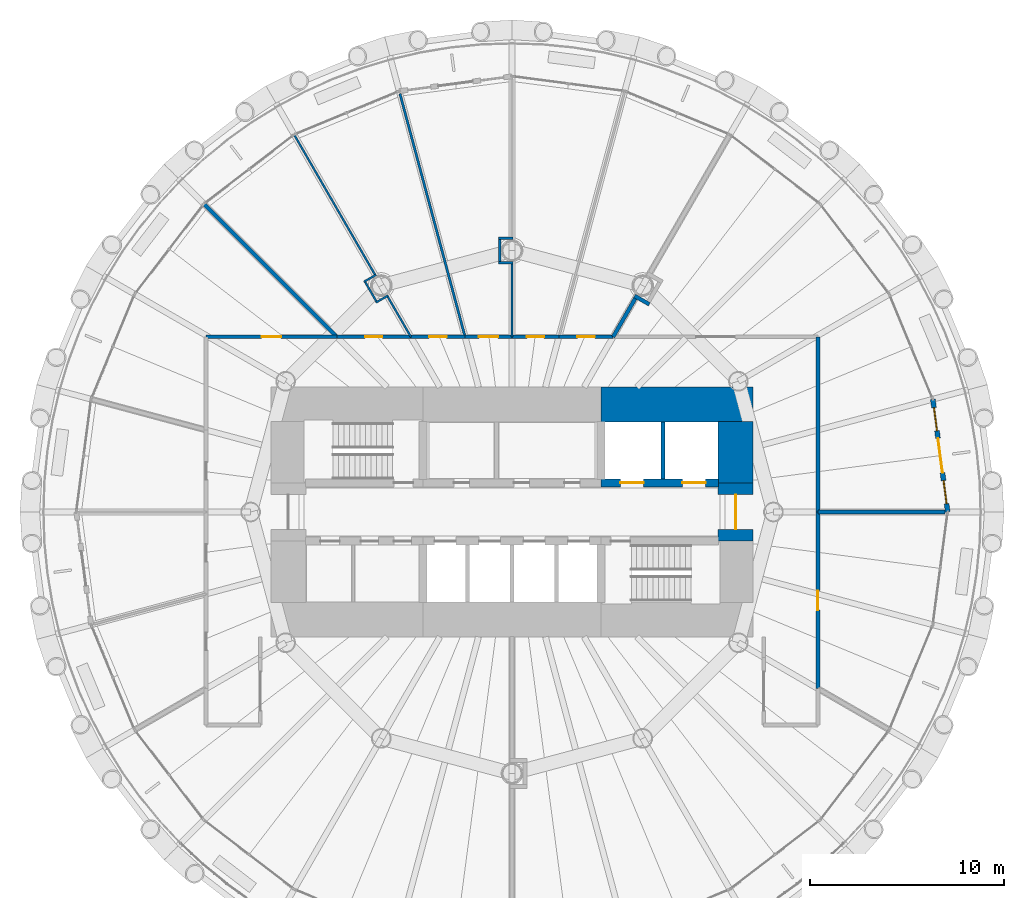
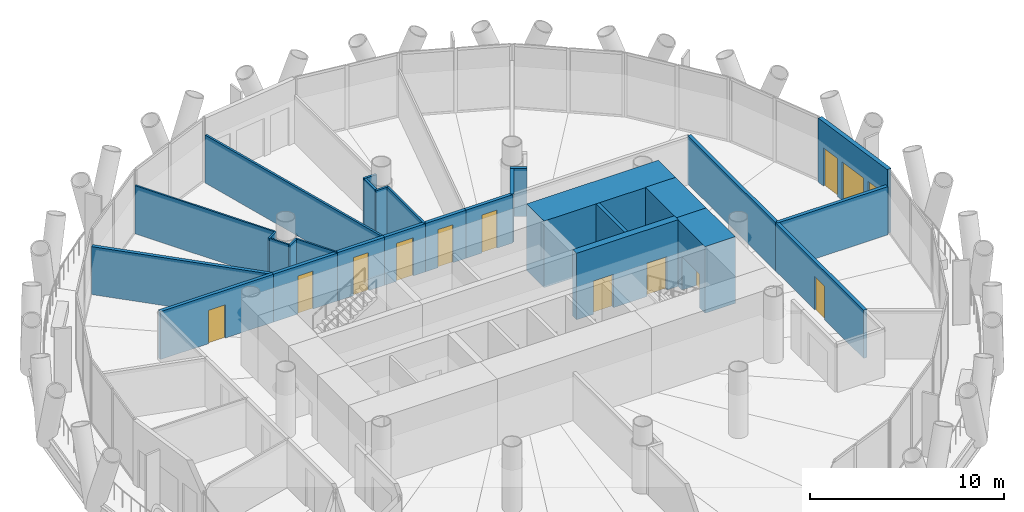
# One storey, part 10 of 15: 28 walls, 11 doors, 2 windows, 13 openings.
"""IFC4 building model written with IfcOpenShell, lengths in metres."""

from ifc_helpers import new_model, si_unit, direction, frame, frame_2d, origin, place, context, subcontext, project, spatial, rectangle, extrude, material, layer, layer_set, type_object, element, fill, save


model = new_model("IFC4")

# Units and contexts
model_context = context("Model", 3, precision=1e-05, world=origin(), true_north=direction((0.0, 1.0)))
body_context = subcontext(model_context, "Body", "Model", "MODEL_VIEW")
ifc_project = project(units=[si_unit("LENGTHUNIT", "METRE"), si_unit("AREAUNIT", "SQUARE_METRE"), si_unit("VOLUMEUNIT", "CUBIC_METRE"), si_unit("PLANEANGLEUNIT", "RADIAN"), si_unit("MASSUNIT", "GRAM", prefix="KILO")], contexts=[model_context])

# Site, building, storey
site_placement = place(None, origin())
site = spatial("IfcSite", under=ifc_project, at=site_placement, CompositionType="ELEMENT")
building_placement = place(site_placement, origin())
building = spatial("IfcBuilding", under=site, at=building_placement, Name="Qaws Media Tower", CompositionType="ELEMENT")
storey_placement = place(building_placement, frame((0.0, 0.0, 143.60009765625)))
storey = spatial("IfcBuildingStorey", under=building, at=storey_placement, Name="L32", CompositionType="ELEMENT", Elevation=143.60009765625)

# Wall, openings, door, windows
ifc_material_1 = material(Name="Precast concrete, exposed finish", Category="concrete")
ifc_layer_1 = layer(ifc_material_1, 0.25)
ifc_layer_set_1 = layer_set([ifc_layer_1], Name="Balcony door wall 250")
wall_type_1 = type_object("IfcWallType", Name="Balcony door wall 250", PredefinedType="SOLIDWALL", material=ifc_layer_set_1)
wall_1_placement = place(storey_placement, frame((82.5, 50.0, 0.0), z_axis=(0.0, 0.0, 1.0), x_axis=(-0.13051364818, 0.991446512747, 0.0)))
wall_1 = element("IfcWall", 1, at=wall_1_placement, inside=storey, type_object=wall_type_1, Name="W136 EW1 balcony door wall L32-01", PredefinedType="SOLIDWALL", context=body_context, shape_type="SweptSolid", body=[
    extrude(rectangle(XDim=5.873779296875, YDim=0.25, at=frame_2d((2.93701171875, 0.0))), origin(), (0.0, 0.0, 1.0), 4.039794921875),
])
opening_1_placement = place(wall_1_placement, frame((2.036865234375, 0.0, 0.0)))
opening_1 = element("IfcOpeningElement", 2, at=opening_1_placement, cuts=wall_1, Name="Opening D7", PredefinedType="OPENING", context=body_context, shape_type="SweptSolid", body=[
    extrude(rectangle(XDim=1.800048828125, YDim=2.39990234375, at=frame_2d((0.89990234375, 1.199951171875))), frame((0.0, 0.135009765625, 0.0), z_axis=(0.0, -1.0, 0.0), x_axis=(1.0, 0.0, 0.0)), (0.0, 0.0, 1.0), 0.27001953125),
])
opening_2_placement = place(wall_1_placement, frame((0.436767578125, 0.0, 0.0)))
opening_2 = element("IfcOpeningElement", 3, at=opening_2_placement, cuts=wall_1, Name="Opening W1", PredefinedType="OPENING", context=body_context, shape_type="SweptSolid", body=[
    extrude(rectangle(XDim=1.199951171875, YDim=2.39990234375, at=frame_2d((0.60009765625, 1.199951171875))), frame((0.0, 0.135009765625, 0.0), z_axis=(0.0, -1.0, 0.0), x_axis=(1.0, 0.0, 0.0)), (0.0, 0.0, 1.0), 0.27001953125),
])
opening_3_placement = place(wall_1_placement, frame((4.23681640625, 0.0, 0.0)))
opening_3 = element("IfcOpeningElement", 4, at=opening_3_placement, cuts=wall_1, Name="Opening W1", PredefinedType="OPENING", context=body_context, shape_type="SweptSolid", body=[
    extrude(rectangle(XDim=1.199951171875, YDim=2.39990234375, at=frame_2d((0.60009765625, 1.199951171875))), frame((0.0, 0.135009765625, 0.0), z_axis=(0.0, -1.0, 0.0), x_axis=(1.0, 0.0, 0.0)), (0.0, 0.0, 1.0), 0.27001953125),
])
ifc_material_2 = material(Name="Aluminium and clear glass", Category="aluminium")
door_type_1 = type_object("IfcDoorType", Name="Balcony door pair 1800", OperationType="DOUBLE_DOOR_SLIDING", PredefinedType="DOOR", material=ifc_material_2)
door_1_placement = place(opening_1_placement, origin())
door_1 = element("IfcDoor", 5, at=door_1_placement, inside=storey, type_object=door_type_1, Name="D7 balcony door L32-01 in wall W136", OperationType="DOUBLE_DOOR_SLIDING", OverallHeight=2.39990234375, OverallWidth=1.800048828125, PredefinedType="DOOR", context=body_context, shape_type="SweptSolid", body=[
    extrude(rectangle(XDim=1.800048828125, YDim=2.39990234375, at=frame_2d((0.89990234375, 1.199951171875))), frame((0.0, 0.02490234375, 0.0), z_axis=(0.0, -1.0, 0.0), x_axis=(1.0, 0.0, 0.0)), (0.0, 0.0, 1.0), 0.050048828125),
])
fill(opening_1, door_1)
ifc_material_3 = material(Name="Aluminium and clear glass", Category="aluminium")
window_type = type_object("IfcWindowType", Name="Balcony side window 1200", PartitioningType="SINGLE_PANEL", PredefinedType="WINDOW", material=ifc_material_3)
window_1_placement = place(opening_2_placement, origin())
window_1 = element("IfcWindow", 6, at=window_1_placement, inside=storey, type_object=window_type, Name="W1 balcony side light L32-01L", OverallHeight=2.39990234375, OverallWidth=1.199951171875, PartitioningType="SINGLE_PANEL", PredefinedType="WINDOW", context=body_context, shape_type="SweptSolid", body=[
    extrude(rectangle(XDim=1.199951171875, YDim=2.39990234375, at=frame_2d((0.60009765625, 1.199951171875))), frame((0.0, 0.030029296875, 0.0), z_axis=(0.0, -1.0, 0.0), x_axis=(1.0, 0.0, 0.0)), (0.0, 0.0, 1.0), 0.06005859375),
])
fill(opening_2, window_1)
window_2_placement = place(opening_3_placement, origin())
window_2 = element("IfcWindow", 7, at=window_2_placement, inside=storey, type_object=window_type, Name="W1 balcony side light L32-01R", OverallHeight=2.39990234375, OverallWidth=1.199951171875, PartitioningType="SINGLE_PANEL", PredefinedType="WINDOW", context=body_context, shape_type="SweptSolid", body=[
    extrude(rectangle(XDim=1.199951171875, YDim=2.39990234375, at=frame_2d((0.60009765625, 1.199951171875))), frame((0.0, 0.030029296875, 0.0), z_axis=(0.0, -1.0, 0.0), x_axis=(1.0, 0.0, 0.0)), (0.0, 0.0, 1.0), 0.06005859375),
])
fill(opening_3, window_2)

# Wall, openings, doors
ifc_material_4 = material(Name="Concrete C60/75", Category="concrete")
ifc_layer_2 = layer(ifc_material_4, 0.39990234375)
ifc_layer_set_2 = layer_set([ifc_layer_2], Name="Core inner wall 400")
wall_type_2 = type_object("IfcWallType", Name="Core inner wall 400", PredefinedType="SHEAR", material=ifc_layer_set_2)
wall_2_placement = place(storey_placement, frame((64.60009765625, 51.5, 0.0), z_axis=(0.0, 0.0, 1.0), x_axis=(1.0, 0.0, 0.0)))
wall_2 = element("IfcWall", 8, at=wall_2_placement, inside=storey, type_object=wall_type_2, Name="W326 SW4 core wall SPNE L32", PredefinedType="SHEAR", context=body_context, shape_type="SweptSolid", body=[
    extrude(rectangle(XDim=6.06982421875, YDim=0.39990234375, at=frame_2d((3.034912109375, 0.0))), origin(), (0.0, 0.0, 1.0), 4.199951171875),
])
opening_4_placement = place(wall_2_placement, frame((1.0, 0.0, 0.0)))
opening_4 = element("IfcOpeningElement", 9, at=opening_4_placement, cuts=wall_2, Name="Opening LD2", PredefinedType="OPENING", context=body_context, shape_type="SweptSolid", body=[
    extrude(rectangle(XDim=1.199951171875, YDim=2.10009765625, at=frame_2d((0.60009765625, 1.050048828125))), frame((0.0, 0.2099609375, 0.0), z_axis=(0.0, -1.0, 0.0), x_axis=(1.0, 0.0, 0.0)), (0.0, 0.0, 1.0), 0.419921875),
])
opening_5_placement = place(wall_2_placement, frame((4.199951171875, 0.0, 0.0)))
opening_5 = element("IfcOpeningElement", 10, at=opening_5_placement, cuts=wall_2, Name="Opening LD2", PredefinedType="OPENING", context=body_context, shape_type="SweptSolid", body=[
    extrude(rectangle(XDim=1.199951171875, YDim=2.10009765625, at=frame_2d((0.60009765625, 1.050048828125))), frame((0.0, 0.2099609375, 0.0), z_axis=(0.0, -1.0, 0.0), x_axis=(1.0, 0.0, 0.0)), (0.0, 0.0, 1.0), 0.419921875),
])
ifc_material_5 = material(Name="Steel, fire rated", Category="steel")
door_type_2 = type_object("IfcDoorType", Name="Lift landing door 1200", OperationType="SLIDING_TO_LEFT", PredefinedType="DOOR", material=ifc_material_5)
door_2_placement = place(opening_4_placement, origin())
door_2 = element("IfcDoor", 11, at=door_2_placement, inside=storey, type_object=door_type_2, Name="FL1 landing door L32 in wall W326", OperationType="SLIDING_TO_LEFT", OverallHeight=2.10009765625, OverallWidth=1.199951171875, PredefinedType="DOOR", context=body_context, shape_type="SweptSolid", body=[
    extrude(rectangle(XDim=1.199951171875, YDim=2.10009765625, at=frame_2d((0.60009765625, 1.050048828125))), frame((0.0, 0.02490234375, 0.0), z_axis=(0.0, -1.0, 0.0), x_axis=(1.0, 0.0, 0.0)), (0.0, 0.0, 1.0), 0.050048828125),
])
fill(opening_4, door_2)
door_3_placement = place(opening_5_placement, origin())
door_3 = element("IfcDoor", 12, at=door_3_placement, inside=storey, type_object=door_type_2, Name="FL2 landing door L32 in wall W326", OperationType="SLIDING_TO_LEFT", OverallHeight=2.10009765625, OverallWidth=1.199951171875, PredefinedType="DOOR", context=body_context, shape_type="SweptSolid", body=[
    extrude(rectangle(XDim=1.199951171875, YDim=2.10009765625, at=frame_2d((0.60009765625, 1.050048828125))), frame((0.0, 0.02490234375, 0.0), z_axis=(0.0, -1.0, 0.0), x_axis=(1.0, 0.0, 0.0)), (0.0, 0.0, 1.0), 0.050048828125),
])
fill(opening_5, door_3)

# Wall
ifc_material_6 = material(Name="Concrete C60/75", Category="concrete")
ifc_layer_3 = layer(ifc_material_6, 1.800048828125)
ifc_layer_set_3 = layer_set([ifc_layer_3], Name="Core wall 1800")
wall_type_3 = type_object("IfcWallType", Name="Core wall 1800", PredefinedType="SHEAR", material=ifc_layer_set_3)
wall_3_placement = place(storey_placement, frame((64.60009765625, 55.550048828125, 0.0), z_axis=(0.0, 0.0, 1.0), x_axis=(1.0, 0.0, 0.0)))
element("IfcWall", 13, at=wall_3_placement, inside=storey, type_object=wall_type_3, Name="W423 SW11 core wall NE L32", PredefinedType="SHEAR", context=body_context, shape_type="SweptSolid", body=[
    extrude(rectangle(XDim=7.849853515625, YDim=1.800048828125, at=frame_2d((3.9248046875, 0.0))), origin(), (0.0, 0.0, 1.0), 4.199951171875),
])

# Wall, opening, door
wall_4_placement = place(storey_placement, frame((71.550048828125, 48.5, 0.0), z_axis=(0.0, 0.0, 1.0), x_axis=(0.0, 1.0, 0.0)))
wall_4 = element("IfcWall", 14, at=wall_4_placement, inside=storey, type_object=wall_type_3, Name="W427 SW11 core wall E L32", PredefinedType="SHEAR", context=body_context, shape_type="SweptSolid", body=[
    extrude(rectangle(XDim=3.0, YDim=1.800048828125, at=frame_2d((1.5, 0.0))), origin(), (0.0, 0.0, 1.0), 4.199951171875),
])
opening_6_placement = place(wall_4_placement, frame((0.60009765625, 0.0, 0.0)))
opening_6 = element("IfcOpeningElement", 15, at=opening_6_placement, cuts=wall_4, Name="Opening D2", PredefinedType="OPENING", context=body_context, shape_type="SweptSolid", body=[
    extrude(rectangle(XDim=1.800048828125, YDim=2.10009765625, at=frame_2d((0.89990234375, 1.050048828125))), frame((0.0, 0.909912109375, 0.0), z_axis=(0.0, -1.0, 0.0), x_axis=(1.0, 0.0, 0.0)), (0.0, 0.0, 1.0), 1.820068359375),
])
ifc_material_7 = material(Name="Steel and glass, fire rated", Category="steel")
door_type_3 = type_object("IfcDoorType", Name="Lobby door pair 1800 FD60", OperationType="DOUBLE_DOOR_DOUBLE_SWING", PredefinedType="DOOR", material=ifc_material_7)
door_4_placement = place(opening_6_placement, origin())
door_4 = element("IfcDoor", 16, at=door_4_placement, inside=storey, type_object=door_type_3, Name="D2 core lobby door E L32 in wall W427", OperationType="DOUBLE_DOOR_DOUBLE_SWING", OverallHeight=2.10009765625, OverallWidth=1.800048828125, PredefinedType="DOOR", context=body_context, shape_type="SweptSolid", body=[
    extrude(rectangle(XDim=1.800048828125, YDim=2.10009765625, at=frame_2d((0.89990234375, 1.050048828125))), frame((0.0, 0.02490234375, 0.0), z_axis=(0.0, -1.0, 0.0), x_axis=(1.0, 0.0, 0.0)), (0.0, 0.0, 1.0), 0.050048828125),
])
fill(opening_6, door_4)

# Walls
wall_5_placement = place(storey_placement, frame((71.550048828125, 51.5, 0.0), z_axis=(0.0, 0.0, 1.0), x_axis=(0.0, 1.0, 0.0)))
element("IfcWall", 17, at=wall_5_placement, inside=storey, type_object=wall_type_3, Name="W425 SW11 core wall EN L32", PredefinedType="SHEAR", context=body_context, shape_type="SweptSolid", body=[
    extrude(rectangle(XDim=3.169921875, YDim=1.800048828125, at=frame_2d((1.5849609375, 0.0))), origin(), (0.0, 0.0, 1.0), 4.199951171875),
])
ifc_material_8 = material(Name="Two layers gypsum board each side on 75 studs, insulated", Category="gypsum")
ifc_layer_4 = layer(ifc_material_8, 0.125)
ifc_layer_set_4 = layer_set([ifc_layer_4], Name="Meeting room partition 125 Rw 48")
wall_type_4 = type_object("IfcWallType", Name="Meeting room partition 125 Rw 48", PredefinedType="PARTITIONING", material=ifc_layer_set_4)
for number, where, z_axis, x_axis, name in (
    (18, (60.0625, 62.869384765625, 0.0), (0.0, 0.0, 1.0), (-1.0, 0.0, 0.0), "W554 IW5 partition return L32"),
    (19, (60.0625, 64.130615234375, 0.0), (0.0, 0.0, 1.0), (-1.0, 0.0, 0.0), "W555 IW5 partition return L32"),
):
    element("IfcWall", number, at=place(storey_placement, frame(where, z_axis=z_axis, x_axis=x_axis)), inside=storey, type_object=wall_type_4, Name=name, PredefinedType="PARTITIONING", context=body_context, shape_type="SweptSolid", body=[
        extrude(rectangle(XDim=0.765380859375, YDim=0.125, at=frame_2d((0.3828125, 0.0))), origin(), (0.0, 0.0, 1.0), 3.02001953125),
    ])
wall_6_placement = place(storey_placement, frame((59.359619140625, 62.931884765625, 0.0), z_axis=(0.0, 0.0, 1.0), x_axis=(0.0, 1.0, 0.0)))
element("IfcWall", 20, at=wall_6_placement, inside=storey, type_object=wall_type_4, Name="W551 IW5 partition return L32", PredefinedType="PARTITIONING", context=body_context, shape_type="SweptSolid", body=[
    extrude(rectangle(XDim=1.13623046875, YDim=0.125, at=frame_2d((0.568115234375, 0.0))), origin(), (0.0, 0.0, 1.0), 3.02001953125),
])
wall_7_placement = place(storey_placement, frame((60.0, 59.0400390625, 0.0), z_axis=(0.0, 0.0, 1.0), x_axis=(0.0, 1.0, 0.0)))
element("IfcWall", 21, at=wall_7_placement, inside=storey, type_object=wall_type_4, Name="W552 IW5 partition L32", PredefinedType="PARTITIONING", context=body_context, shape_type="SweptSolid", body=[
    extrude(rectangle(XDim=3.766845703125, YDim=0.125, at=frame_2d((1.88330078125, 0.0))), origin(), (0.0, 0.0, 1.0), 3.039794921875),
])
wall_8_placement = place(storey_placement, frame((57.577392578125, 59.041015625, 0.0), z_axis=(0.0, 0.0, 1.0), x_axis=(-0.258806801381, 0.965929106901, 0.0)))
element("IfcWall", 22, at=wall_8_placement, inside=storey, type_object=wall_type_4, Name="W558 IW5 partition L32", PredefinedType="PARTITIONING", context=body_context, shape_type="SweptSolid", body=[
    extrude(rectangle(XDim=13.0, YDim=0.125, at=frame_2d((6.5, 0.0))), origin(), (0.0, 0.0, 1.0), 3.02001953125),
])
ifc_material_9 = material(Name="Gypsum board on 70 metal studs, single layer each side", Category="gypsum")
ifc_layer_5 = layer(ifc_material_9, 0.10009765625)
ifc_layer_set_5 = layer_set([ifc_layer_5], Name="Office stud partition 100")
wall_type_5 = type_object("IfcWallType", Name="Office stud partition 100", PredefinedType="PARTITIONING", material=ifc_layer_set_5)
for number, where, z_axis, x_axis, name in (
    (23, (53.602294921875, 61.18115234375, 0.0), (0.0, 0.0, 1.0), (-0.866068339032, -0.499925626596, 0.0), "W673 IW4 partition return L32"),
    (24, (52.984375, 62.25146484375, 0.0), (0.0, 0.0, 1.0), (-0.866068339032, -0.499925626596, 0.0), "W671 IW4 partition return L32"),
):
    element("IfcWall", number, at=place(storey_placement, frame(where, z_axis=z_axis, x_axis=x_axis)), inside=storey, type_object=wall_type_5, Name=name, PredefinedType="PARTITIONING", context=body_context, shape_type="SweptSolid", body=[
        extrude(rectangle(XDim=0.72802734375, YDim=0.10009765625, at=frame_2d((0.364013671875, 0.0))), origin(), (0.0, 0.0, 1.0), 3.02001953125),
    ])
wall_9_placement = place(storey_placement, frame((52.989990234375, 60.885498046875, 0.0), z_axis=(0.0, 0.0, 1.0), x_axis=(-0.499976747263, 0.866038828342, 0.0)))
element("IfcWall", 25, at=wall_9_placement, inside=storey, type_object=wall_type_5, Name="W672 IW4 partition return L32", PredefinedType="PARTITIONING", context=body_context, shape_type="SweptSolid", body=[
    extrude(rectangle(XDim=1.1357421875, YDim=0.10009765625, at=frame_2d((0.56787109375, 0.0))), origin(), (0.0, 0.0, 1.0), 3.02001953125),
])
wall_10_placement = place(storey_placement, frame((54.780029296875, 59.041259765625, 0.0), z_axis=(0.0, 0.0, 1.0), x_axis=(-0.500014005679, 0.866017317451, 0.0)))
element("IfcWall", 26, at=wall_10_placement, inside=storey, type_object=wall_type_5, Name="W674 IW4 partition L32", PredefinedType="PARTITIONING", context=body_context, shape_type="SweptSolid", body=[
    extrude(rectangle(XDim=2.39208984375, YDim=0.10009765625, at=frame_2d((1.196044921875, 0.0))), origin(), (0.0, 0.0, 1.0), 3.039794921875),
])
wall_11_placement = place(storey_placement, frame((52.916015625, 62.269775390625, 0.0), z_axis=(0.0, 0.0, 1.0), x_axis=(-0.499996007168, 0.866027709035, 0.0)))
element("IfcWall", 27, at=wall_11_placement, inside=storey, type_object=wall_type_5, Name="W681 IW4 partition L32", PredefinedType="PARTITIONING", context=body_context, shape_type="SweptSolid", body=[
    extrude(rectangle(XDim=8.2919921875, YDim=0.10009765625, at=frame_2d((4.14599609375, 0.0))), origin(), (0.0, 0.0, 1.0), 3.039794921875),
])

# Wall, opening, door
ifc_material_10 = material(Name="Gypsum board on galvanised metal studs, acoustic double stud, deflection head", Category="gypsum")
ifc_layer_6 = layer(ifc_material_10, 0.199951171875)
ifc_layer_set_6 = layer_set([ifc_layer_6], Name="Room partition 200")
wall_type_6 = type_object("IfcWallType", Name="Room partition 200", PredefinedType="PARTITIONING", material=ifc_layer_set_6)
wall_12_placement = place(storey_placement, frame((44.199951171875, 59.050048828125, 0.0), z_axis=(0.0, 0.0, 1.0), x_axis=(1.0, 0.0, 0.0)))
wall_12 = element("IfcWall", 28, at=wall_12_placement, inside=storey, type_object=wall_type_6, Name="W1220 IW3 partition L32", PredefinedType="PARTITIONING", context=body_context, shape_type="SweptSolid", body=[
    extrude(rectangle(XDim=6.75, YDim=0.199951171875, at=frame_2d((3.375, 0.0))), origin(), (0.0, 0.0, 1.0), 3.02001953125),
])
opening_7_placement = place(wall_12_placement, frame((2.875, 0.0, 0.0)))
opening_7 = element("IfcOpeningElement", 29, at=opening_7_placement, cuts=wall_12, Name="Opening D5", PredefinedType="OPENING", context=body_context, shape_type="SweptSolid", body=[
    extrude(rectangle(XDim=1.0, YDim=2.10009765625, at=frame_2d((0.5, 1.050048828125))), frame((0.0, 0.10986328125, 0.0), z_axis=(0.0, -1.0, 0.0), x_axis=(1.0, 0.0, 0.0)), (0.0, 0.0, 1.0), 0.219970703125),
])
ifc_material_11 = material(Name="Timber veneered, acoustic seal", Category="wood")
door_type_4 = type_object("IfcDoorType", Name="Room door 1000", OperationType="SINGLE_SWING_LEFT", PredefinedType="DOOR", material=ifc_material_11)
door_5_placement = place(opening_7_placement, origin())
door_5 = element("IfcDoor", 30, at=door_5_placement, inside=storey, type_object=door_type_4, Name="D5 Legal library door L32 in wall W1220", OperationType="SINGLE_SWING_LEFT", OverallHeight=2.10009765625, OverallWidth=1.0, PredefinedType="DOOR", context=body_context, shape_type="SweptSolid", body=[
    extrude(rectangle(XDim=1.0, YDim=2.10009765625, at=frame_2d((0.5, 1.050048828125))), frame((0.0, 0.02490234375, 0.0), z_axis=(0.0, -1.0, 0.0), x_axis=(1.0, 0.0, 0.0)), (0.0, 0.0, 1.0), 0.050048828125),
])
fill(opening_7, door_5)

wall_13_placement = place(storey_placement, frame((50.949951171875, 59.050048828125, 0.0), z_axis=(0.0, 0.0, 1.0), x_axis=(1.0, 0.0, 0.0)))
wall_13 = element("IfcWall", 31, at=wall_13_placement, inside=storey, type_object=wall_type_6, Name="W1281 IW3 partition L32", PredefinedType="PARTITIONING", context=body_context, shape_type="SweptSolid", body=[
    extrude(rectangle(XDim=3.824951171875, YDim=0.199951171875, at=frame_2d((1.91259765625, 0.0))), origin(), (0.0, 0.0, 1.0), 3.02001953125),
])
opening_8_placement = place(wall_13_placement, frame((1.46240234375, 0.0, 0.0)))
opening_8 = element("IfcOpeningElement", 32, at=opening_8_placement, cuts=wall_13, Name="Opening D12", PredefinedType="OPENING", context=body_context, shape_type="SweptSolid", body=[
    extrude(rectangle(XDim=0.89990234375, YDim=2.39990234375, at=frame_2d((0.449951171875, 1.199951171875))), frame((0.0, 0.10986328125, 0.0), z_axis=(0.0, -1.0, 0.0), x_axis=(1.0, 0.0, 0.0)), (0.0, 0.0, 1.0), 0.219970703125),
])
ifc_material_12 = material(Name="Timber veneered, full height", Category="wood")
door_type_5 = type_object("IfcDoorType", Name="Office door 900x2400", OperationType="SINGLE_SWING_LEFT", PredefinedType="DOOR", material=ifc_material_12)
door_6_placement = place(opening_8_placement, origin())
door_6 = element("IfcDoor", 33, at=door_6_placement, inside=storey, type_object=door_type_5, Name="D12 Office door L32 in wall W1281", OperationType="SINGLE_SWING_LEFT", OverallHeight=2.39990234375, OverallWidth=0.89990234375, PredefinedType="DOOR", context=body_context, shape_type="SweptSolid", body=[
    extrude(rectangle(XDim=0.89990234375, YDim=2.39990234375, at=frame_2d((0.449951171875, 1.199951171875))), frame((0.0, 0.02490234375, 0.0), z_axis=(0.0, -1.0, 0.0), x_axis=(1.0, 0.0, 0.0)), (0.0, 0.0, 1.0), 0.050048828125),
])
fill(opening_8, door_6)

wall_14_placement = place(storey_placement, frame((54.77490234375, 59.050048828125, 0.0), z_axis=(0.0, 0.0, 1.0), x_axis=(1.0, 0.0, 0.0)))
wall_14 = element("IfcWall", 34, at=wall_14_placement, inside=storey, type_object=wall_type_6, Name="W1282 IW3 partition L32", PredefinedType="PARTITIONING", context=body_context, shape_type="SweptSolid", body=[
    extrude(rectangle(XDim=2.80029296875, YDim=0.199951171875, at=frame_2d((1.400146484375, 0.0))), origin(), (0.0, 0.0, 1.0), 3.039794921875),
])
opening_9_placement = place(wall_14_placement, frame((0.949951171875, 0.0, 0.0)))
opening_9 = element("IfcOpeningElement", 35, at=opening_9_placement, cuts=wall_14, Name="Opening D12", PredefinedType="OPENING", context=body_context, shape_type="SweptSolid", body=[
    extrude(rectangle(XDim=0.89990234375, YDim=2.39990234375, at=frame_2d((0.449951171875, 1.199951171875))), frame((0.0, 0.10986328125, 0.0), z_axis=(0.0, -1.0, 0.0), x_axis=(1.0, 0.0, 0.0)), (0.0, 0.0, 1.0), 0.219970703125),
])
door_7_placement = place(opening_9_placement, origin())
door_7 = element("IfcDoor", 36, at=door_7_placement, inside=storey, type_object=door_type_5, Name="D12 Office door L32 in wall W1282", OperationType="SINGLE_SWING_LEFT", OverallHeight=2.39990234375, OverallWidth=0.89990234375, PredefinedType="DOOR", context=body_context, shape_type="SweptSolid", body=[
    extrude(rectangle(XDim=0.89990234375, YDim=2.39990234375, at=frame_2d((0.449951171875, 1.199951171875))), frame((0.0, 0.02490234375, 0.0), z_axis=(0.0, -1.0, 0.0), x_axis=(1.0, 0.0, 0.0)), (0.0, 0.0, 1.0), 0.050048828125),
])
fill(opening_9, door_7)

wall_15_placement = place(storey_placement, frame((57.5751953125, 59.050048828125, 0.0), z_axis=(0.0, 0.0, 1.0), x_axis=(1.0, 0.0, 0.0)))
wall_15 = element("IfcWall", 37, at=wall_15_placement, inside=storey, type_object=wall_type_6, Name="W1283 IW3 partition L32", PredefinedType="PARTITIONING", context=body_context, shape_type="SweptSolid", body=[
    extrude(rectangle(XDim=2.4248046875, YDim=0.199951171875, at=frame_2d((1.21240234375, 0.0))), origin(), (0.0, 0.0, 1.0), 3.039794921875),
])
opening_10_placement = place(wall_15_placement, frame((0.71240234375, 0.0, 0.0)))
opening_10 = element("IfcOpeningElement", 38, at=opening_10_placement, cuts=wall_15, Name="Opening D13", PredefinedType="OPENING", context=body_context, shape_type="SweptSolid", body=[
    extrude(rectangle(XDim=1.0, YDim=2.39990234375, at=frame_2d((0.5, 1.199951171875))), frame((0.0, 0.10986328125, 0.0), z_axis=(0.0, -1.0, 0.0), x_axis=(1.0, 0.0, 0.0)), (0.0, 0.0, 1.0), 0.219970703125),
])
ifc_material_13 = material(Name="Frameless toughened glass, acoustic seals", Category="glass")
door_type_6 = type_object("IfcDoorType", Name="Glazed meeting room door 1000x2400", OperationType="SINGLE_SWING_LEFT", PredefinedType="DOOR", material=ifc_material_13)
door_8_placement = place(opening_10_placement, origin())
door_8 = element("IfcDoor", 39, at=door_8_placement, inside=storey, type_object=door_type_6, Name="D13 Meeting room door L32 in wall W1283", OperationType="SINGLE_SWING_LEFT", OverallHeight=2.39990234375, OverallWidth=1.0, PredefinedType="DOOR", context=body_context, shape_type="SweptSolid", body=[
    extrude(rectangle(XDim=1.0, YDim=2.39990234375, at=frame_2d((0.5, 1.199951171875))), frame((0.0, 0.02490234375, 0.0), z_axis=(0.0, -1.0, 0.0), x_axis=(1.0, 0.0, 0.0)), (0.0, 0.0, 1.0), 0.050048828125),
])
fill(opening_10, door_8)

wall_16_placement = place(storey_placement, frame((60.0, 59.050048828125, 0.0), z_axis=(0.0, 0.0, 1.0), x_axis=(1.0, 0.0, 0.0)))
wall_16 = element("IfcWall", 40, at=wall_16_placement, inside=storey, type_object=wall_type_6, Name="W1289 IW3 partition L32", PredefinedType="PARTITIONING", context=body_context, shape_type="SweptSolid", body=[
    extrude(rectangle(XDim=2.4248046875, YDim=0.199951171875, at=frame_2d((1.21240234375, 0.0))), origin(), (0.0, 0.0, 1.0), 3.039794921875),
])
opening_11_placement = place(wall_16_placement, frame((0.762451171875, 0.0, 0.0)))
opening_11 = element("IfcOpeningElement", 41, at=opening_11_placement, cuts=wall_16, Name="Opening D12", PredefinedType="OPENING", context=body_context, shape_type="SweptSolid", body=[
    extrude(rectangle(XDim=0.89990234375, YDim=2.39990234375, at=frame_2d((0.449951171875, 1.199951171875))), frame((0.0, 0.10986328125, 0.0), z_axis=(0.0, -1.0, 0.0), x_axis=(1.0, 0.0, 0.0)), (0.0, 0.0, 1.0), 0.219970703125),
])
door_9_placement = place(opening_11_placement, origin())
door_9 = element("IfcDoor", 42, at=door_9_placement, inside=storey, type_object=door_type_5, Name="D12 Office door L32 in wall W1289", OperationType="SINGLE_SWING_LEFT", OverallHeight=2.39990234375, OverallWidth=0.89990234375, PredefinedType="DOOR", context=body_context, shape_type="SweptSolid", body=[
    extrude(rectangle(XDim=0.89990234375, YDim=2.39990234375, at=frame_2d((0.449951171875, 1.199951171875))), frame((0.0, 0.02490234375, 0.0), z_axis=(0.0, -1.0, 0.0), x_axis=(1.0, 0.0, 0.0)), (0.0, 0.0, 1.0), 0.050048828125),
])
fill(opening_11, door_9)

wall_17_placement = place(storey_placement, frame((62.4248046875, 59.050048828125, 0.0), z_axis=(0.0, 0.0, 1.0), x_axis=(1.0, 0.0, 0.0)))
wall_17 = element("IfcWall", 43, at=wall_17_placement, inside=storey, type_object=wall_type_6, Name="W1291 IW3 partition L32", PredefinedType="PARTITIONING", context=body_context, shape_type="SweptSolid", body=[
    extrude(rectangle(XDim=2.80029296875, YDim=0.199951171875, at=frame_2d((1.400146484375, 0.0))), origin(), (0.0, 0.0, 1.0), 3.039794921875),
])
opening_12_placement = place(wall_17_placement, frame((0.949951171875, 0.0, 0.0)))
opening_12 = element("IfcOpeningElement", 44, at=opening_12_placement, cuts=wall_17, Name="Opening D12", PredefinedType="OPENING", context=body_context, shape_type="SweptSolid", body=[
    extrude(rectangle(XDim=0.89990234375, YDim=2.39990234375, at=frame_2d((0.449951171875, 1.199951171875))), frame((0.0, 0.10986328125, 0.0), z_axis=(0.0, -1.0, 0.0), x_axis=(1.0, 0.0, 0.0)), (0.0, 0.0, 1.0), 0.219970703125),
])
door_10_placement = place(opening_12_placement, origin())
door_10 = element("IfcDoor", 45, at=door_10_placement, inside=storey, type_object=door_type_5, Name="D12 Office door L32 in wall W1291", OperationType="SINGLE_SWING_LEFT", OverallHeight=2.39990234375, OverallWidth=0.89990234375, PredefinedType="DOOR", context=body_context, shape_type="SweptSolid", body=[
    extrude(rectangle(XDim=0.89990234375, YDim=2.39990234375, at=frame_2d((0.449951171875, 1.199951171875))), frame((0.0, 0.02490234375, 0.0), z_axis=(0.0, -1.0, 0.0), x_axis=(1.0, 0.0, 0.0)), (0.0, 0.0, 1.0), 0.050048828125),
])
fill(opening_12, door_10)

# Wall
wall_18_placement = place(storey_placement, frame((75.800048828125, 59.050048828125, 0.0), z_axis=(0.0, 0.0, 1.0), x_axis=(0.0, -1.0, 0.0)))
element("IfcWall", 46, at=wall_18_placement, inside=storey, type_object=wall_type_6, Name="W1235 IW3 partition L32", PredefinedType="PARTITIONING", context=body_context, shape_type="SweptSolid", body=[
    extrude(rectangle(XDim=9.050048828125, YDim=0.199951171875, at=frame_2d((4.52490234375, 0.0))), origin(), (0.0, 0.0, 1.0), 3.039794921875),
])

# Wall, opening, door
wall_19_placement = place(storey_placement, frame((75.800048828125, 50.0, 0.0), z_axis=(0.0, 0.0, 1.0), x_axis=(0.0, -1.0, 0.0)))
wall_19 = element("IfcWall", 47, at=wall_19_placement, inside=storey, type_object=wall_type_6, Name="W1233 IW3 partition L32", PredefinedType="PARTITIONING", context=body_context, shape_type="SweptSolid", body=[
    extrude(rectangle(XDim=9.1220703125, YDim=0.199951171875, at=frame_2d((4.56103515625, 0.0))), origin(), (0.0, 0.0, 1.0), 3.039794921875),
])
opening_13_placement = place(wall_19_placement, frame((4.06103515625, 0.0, 0.0)))
opening_13 = element("IfcOpeningElement", 48, at=opening_13_placement, cuts=wall_19, Name="Opening D5", PredefinedType="OPENING", context=body_context, shape_type="SweptSolid", body=[
    extrude(rectangle(XDim=1.0, YDim=2.10009765625, at=frame_2d((0.5, 1.050048828125))), frame((0.0, 0.10986328125, 0.0), z_axis=(0.0, -1.0, 0.0), x_axis=(1.0, 0.0, 0.0)), (0.0, 0.0, 1.0), 0.219970703125),
])
door_11_placement = place(opening_13_placement, origin())
door_11 = element("IfcDoor", 49, at=door_11_placement, inside=storey, type_object=door_type_4, Name="D5 Paralegal office door L32 in wall W1233", OperationType="SINGLE_SWING_LEFT", OverallHeight=2.10009765625, OverallWidth=1.0, PredefinedType="DOOR", context=body_context, shape_type="SweptSolid", body=[
    extrude(rectangle(XDim=1.0, YDim=2.10009765625, at=frame_2d((0.5, 1.050048828125))), frame((0.0, 0.02490234375, 0.0), z_axis=(0.0, -1.0, 0.0), x_axis=(1.0, 0.0, 0.0)), (0.0, 0.0, 1.0), 0.050048828125),
])
fill(opening_13, door_11)

# Walls
wall_20_placement = place(storey_placement, frame((75.800048828125, 50.0, 0.0), z_axis=(0.0, 0.0, 1.0), x_axis=(1.0, 0.0, 0.0)))
element("IfcWall", 50, at=wall_20_placement, inside=storey, type_object=wall_type_6, Name="W1054 IW3 partition L32", PredefinedType="PARTITIONING", context=body_context, shape_type="SweptSolid", body=[
    extrude(rectangle(XDim=6.56005859375, YDim=0.199951171875, at=frame_2d((3.280029296875, 0.0))), origin(), (0.0, 0.0, 1.0), 3.039794921875),
])
wall_21_placement = place(storey_placement, frame((66.329345703125, 61.162841796875, 0.0), z_axis=(0.0, 0.0, 1.0), x_axis=(0.86607910459, -0.49990697594, 0.0)))
element("IfcWall", 51, at=wall_21_placement, inside=storey, type_object=wall_type_6, Name="W1294 IW3 partition return L32", PredefinedType="PARTITIONING", context=body_context, shape_type="SweptSolid", body=[
    extrude(rectangle(XDim=0.878173828125, YDim=0.199951171875, at=frame_2d((0.43896484375, 0.0))), origin(), (0.0, 0.0, 1.0), 3.02001953125),
])
wall_22_placement = place(storey_placement, frame((65.219970703125, 59.041259765625, 0.0), z_axis=(0.0, 0.0, 1.0), x_axis=(0.500011369369, 0.866018839577, 0.0)))
element("IfcWall", 52, at=wall_22_placement, inside=storey, type_object=wall_type_6, Name="W1292 IW3 partition L32", PredefinedType="PARTITIONING", context=body_context, shape_type="SweptSolid", body=[
    extrude(rectangle(XDim=2.2919921875, YDim=0.199951171875, at=frame_2d((1.14599609375, 0.0))), origin(), (0.0, 0.0, 1.0), 3.039794921875),
])
wall_23_placement = place(storey_placement, frame((50.948974609375, 59.051025390625, 0.0), z_axis=(0.0, 0.0, 1.0), x_axis=(-0.707106781187, 0.707106781187, 0.0)))
element("IfcWall", 53, at=wall_23_placement, inside=storey, type_object=wall_type_6, Name="W1309 IW3 partition L32", PredefinedType="PARTITIONING", context=body_context, shape_type="SweptSolid", body=[
    extrude(rectangle(XDim=9.659912109375, YDim=0.199951171875, at=frame_2d((4.830078125, 0.0))), origin(), (0.0, 0.0, 1.0), 3.02001953125),
])
ifc_material_14 = material(Name="Fire-rated gypsum board shaft wall on galvanised metal studs, deflection head", Category="gypsum")
ifc_layer_7 = layer(ifc_material_14, 0.199951171875)
ifc_layer_set_7 = layer_set([ifc_layer_7], Name="Shaft wall 200")
wall_type_7 = type_object("IfcWallType", Name="Shaft wall 200", PredefinedType="PARTITIONING", material=ifc_layer_set_7)
wall_24_placement = place(storey_placement, frame((67.800048828125, 51.699951171875, 0.0), z_axis=(0.0, 0.0, 1.0), x_axis=(0.0, 1.0, 0.0)))
element("IfcWall", 54, at=wall_24_placement, inside=storey, type_object=wall_type_7, Name="W1863 IW1 shaft wall FL L32", PredefinedType="PARTITIONING", context=body_context, shape_type="SweptSolid", body=[
    extrude(rectangle(XDim=2.949951171875, YDim=0.199951171875, at=frame_2d((1.47509765625, 0.0))), origin(), (0.0, 0.0, 1.0), 4.199951171875),
])

save(model, "model.ifc")
